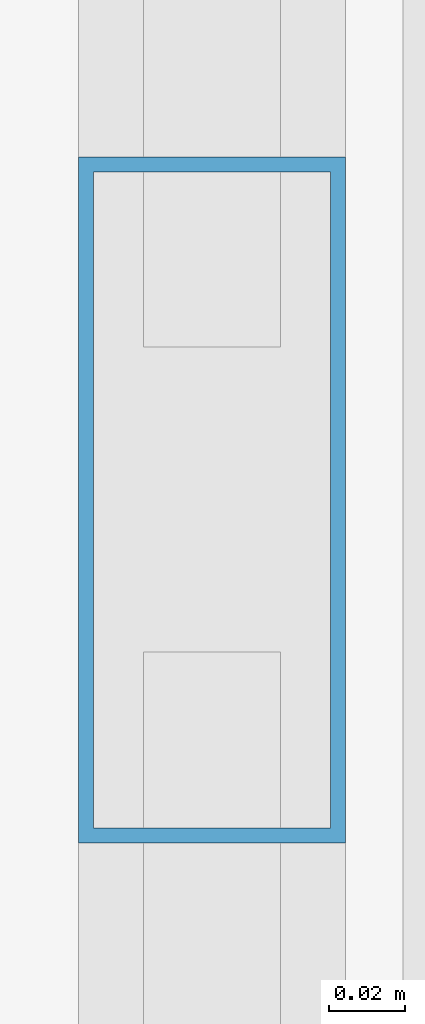
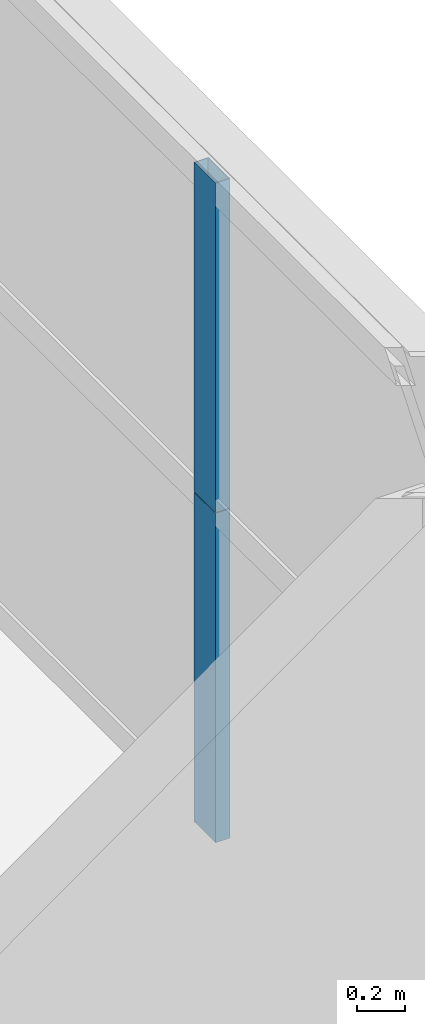
# One storey, part 29 of 39: 2 members, 1 element without a shape of its own.
"""IFC4 building model written with IfcOpenShell, lengths in metres."""

import ifcopenshell
import ifcopenshell.guid

model = None  # the IFC model being written
_history = None  # IfcOwnerHistory: only IFC2X3 demands one
_inside = {}  # id of a spatial element -> (the spatial element, [elements in it])
_under = {}  # id of a project, library or spatial element -> (it, [spatial elements below it])
_declared = {}  # id of a project -> (the project, [libraries it declares])
_typed = {}  # id of a type object -> (the type object, [elements of that type])
_made_of = {}  # id of a material, layer set ... -> (it, [elements and type objects made of it])


def new_model(schema):
    """Start an empty IFC model of exactly this schema.

    Asked for "IFC4X3", IfcOpenShell would pick the latest addendum, in which some entities
    have other attributes; the version numbers below select the first issue.
    IFC2X3 requires an IfcOwnerHistory on every rooted entity: one is made here for all.
    """
    global model, _history
    if schema == "IFC4X3":
        model = ifcopenshell.file(schema_version=(4, 3, 0, 0))
    else:
        model = ifcopenshell.file(schema=schema)
    _inside.clear()
    _under.clear()
    _declared.clear()
    _typed.clear()
    _made_of.clear()
    _history = None
    if model.schema == "IFC2X3":
        org = make("IfcOrganization", Name="unknown")
        user = make(
            "IfcPersonAndOrganization",
            ThePerson=make("IfcPerson", FamilyName="unknown"),
            TheOrganization=org,
        )
        app = make(
            "IfcApplication",
            ApplicationDeveloper=org,
            Version="unknown",
            ApplicationFullName="unknown",
            ApplicationIdentifier="unknown",
        )
        _history = make(
            "IfcOwnerHistory",
            OwningUser=user,
            OwningApplication=app,
            ChangeAction="ADDED",
            CreationDate=0,
        )
    return model


def make(cls, **values):
    """One entity of the class cls with the attributes given. An attribute that is None is left unset."""
    return model.create_entity(
        cls, **{name: value for name, value in values.items() if value is not None}
    )


def rooted(cls, **values):
    """An entity with a GlobalId (a new one), such as an element, a storey or a relation."""
    return make(cls, GlobalId=ifcopenshell.guid.new(), OwnerHistory=_history, **values)


def si_unit(unit_type, name, prefix=None):
    """IfcSIUnit, for example si_unit("LENGTHUNIT", "METRE", prefix="MILLI")."""
    return make("IfcSIUnit", UnitType=unit_type, Prefix=prefix, Name=name)


def assignment(units):
    """IfcUnitAssignment: the units of a project."""
    return None if units is None else make("IfcUnitAssignment", Units=units)


def point(xyz):
    """IfcCartesianPoint."""
    return None if xyz is None else make("IfcCartesianPoint", Coordinates=xyz)


def direction(xyz):
    """IfcDirection."""
    return None if xyz is None else make("IfcDirection", DirectionRatios=xyz)


def frame(location, z_axis=None, x_axis=None):
    """IfcAxis2Placement3D, a coordinate frame: its origin and axes. An axis left out is left unset."""
    return make(
        "IfcAxis2Placement3D",
        Location=point(location),
        Axis=direction(z_axis),
        RefDirection=direction(x_axis),
    )


def frame_2d(location, x_axis=None):
    """IfcAxis2Placement2D, a coordinate frame in the plane: its origin and x axis."""
    return make(
        "IfcAxis2Placement2D", Location=point(location), RefDirection=direction(x_axis)
    )


def origin():
    """The frame at (0, 0, 0) with its axes left unset."""
    return frame((0.0, 0.0, 0.0))


def origin_2d():
    """The frame at (0, 0) in the plane with its x axis left unset."""
    return frame_2d((0.0, 0.0))


def place(relative_to, where):
    """IfcLocalPlacement: puts the frame where relative to a parent placement (None: the world)."""
    return make(
        "IfcLocalPlacement", PlacementRelTo=relative_to, RelativePlacement=where
    )


def context(
    kind, dimensions, precision=None, world=None, true_north=None, identifier=None
):
    """IfcGeometricRepresentationContext, for example the 3D "Model" context."""
    return make(
        "IfcGeometricRepresentationContext",
        ContextIdentifier=identifier,
        ContextType=kind,
        CoordinateSpaceDimension=dimensions,
        Precision=precision,
        WorldCoordinateSystem=world,
        TrueNorth=true_north,
    )


def subcontext(parent, identifier, kind, view, scale=None):
    """IfcGeometricRepresentationSubContext, for example "Body" below "Model"."""
    return make(
        "IfcGeometricRepresentationSubContext",
        ContextIdentifier=identifier,
        ContextType=kind,
        ParentContext=parent,
        TargetScale=scale,
        TargetView=view,
    )


def project(units=None, contexts=None):
    """IfcProject with its units and contexts."""
    return rooted(
        "IfcProject",
        Name="project",
        RepresentationContexts=contexts,
        UnitsInContext=assignment(units),
    )


def spatial(cls, under=None, at=None, **own):
    """A site, building, storey or space (cls), placed at a placement, below another one or the project."""
    s = rooted(cls, ObjectPlacement=at, **own)
    if under is not None:
        _under.setdefault(under.id(), (under, []))[1].append(s)
    return s


def profile(cls, at=None, kind="AREA", **sizes):
    """A parametric profile (cls). Its sizes go by their IFC names, for example OverallWidth=200.0."""
    return make(cls, ProfileType=kind, Position=at, **sizes)


def hollow_rectangle(**sizes):
    """IfcRectangleHollowProfileDef."""
    return profile("IfcRectangleHollowProfileDef", **sizes)


def extrude(swept, where, along, depth):
    """IfcExtrudedAreaSolid: the profile swept, set in the frame where, extruded along a direction by depth."""
    return make(
        "IfcExtrudedAreaSolid",
        SweptArea=swept,
        Position=where,
        ExtrudedDirection=direction(along),
        Depth=depth,
    )


def shape(context_of_items, identifier, shape_type, items):
    """IfcShapeRepresentation: the items that make up one representation, for example the "Body"."""
    return make(
        "IfcShapeRepresentation",
        ContextOfItems=context_of_items,
        RepresentationIdentifier=identifier,
        RepresentationType=shape_type,
        Items=items,
    )


def source(mapping_origin, context_of_items, identifier, shape_type, items):
    """IfcRepresentationMap: a shape defined once, which mapped items show again and again."""
    return make(
        "IfcRepresentationMap",
        MappingOrigin=mapping_origin,
        MappedRepresentation=shape(context_of_items, identifier, shape_type, items),
    )


def transform(
    local_origin,
    x_axis=None,
    y_axis=None,
    z_axis=None,
    scale=None,
    scale2=None,
    scale3=None,
    uniform=True,
):
    """IfcCartesianTransformationOperator3D, or its non-uniform kind. x_axis, y_axis, z_axis: its Axis1, 2, 3."""
    if uniform:
        return make(
            "IfcCartesianTransformationOperator3D",
            Axis1=direction(x_axis),
            Axis2=direction(y_axis),
            LocalOrigin=point(local_origin),
            Scale=scale,
            Axis3=direction(z_axis),
        )
    return make(
        "IfcCartesianTransformationOperator3DnonUniform",
        Axis1=direction(x_axis),
        Axis2=direction(y_axis),
        LocalOrigin=point(local_origin),
        Scale=scale,
        Axis3=direction(z_axis),
        Scale2=scale2,
        Scale3=scale3,
    )


def mapped(mapping_source, mapping_target):
    """IfcMappedItem: shows the shape of a source again, moved by a transform."""
    return make(
        "IfcMappedItem", MappingSource=mapping_source, MappingTarget=mapping_target
    )


def material(Name=None, Category=None):
    """IfcMaterial."""
    return make("IfcMaterial", Name=Name, Category=Category)


def layer(
    of_material, thickness, ventilated=None, Name=None, Category=None, Priority=None
):
    """IfcMaterialLayer: one layer of a wall or slab, of a material (None: an air gap)."""
    return make(
        "IfcMaterialLayer",
        Material=of_material,
        LayerThickness=thickness,
        IsVentilated=ventilated,
        Name=Name,
        Category=Category,
        Priority=Priority,
    )


def layer_set(layers, Name=None):
    """IfcMaterialLayerSet."""
    return make("IfcMaterialLayerSet", MaterialLayers=layers, LayerSetName=Name)


def material_profile(
    of_material, cross_section, Name=None, Category=None, Priority=None
):
    """IfcMaterialProfile: a cross section and its material."""
    return make(
        "IfcMaterialProfile",
        Name=Name,
        Material=of_material,
        Profile=cross_section,
        Priority=Priority,
        Category=Category,
    )


def profile_set(profiles, Name=None, composite=None):
    """IfcMaterialProfileSet."""
    return make(
        "IfcMaterialProfileSet",
        Name=Name,
        MaterialProfiles=profiles,
        CompositeProfile=composite,
    )


def made_of(thing, what):
    """Note that an element or type object is made of a material, layer set ...; save() writes the relation."""
    if what is not None:
        _made_of.setdefault(what.id(), (what, []))[1].append(thing)
    return thing


def type_object(cls, material=None, **own):
    """A type object (cls), such as IfcWallType, which elements share."""
    return made_of(rooted(cls, **own), material)


def element(
    cls,
    number,
    at=None,
    inside=None,
    cuts=None,
    type_object=None,
    material=None,
    context=None,
    identifier="Body",
    shape_type=None,
    held_by="IfcProductDefinitionShape",
    body=None,
    shapes=None,
    **own,
):
    """One element of the class cls, such as IfcWall. Its Tag is "e" and its number.

    at: its placement. inside: the storey or other place that contains it. cuts: it is an
    opening in that element (IfcRelVoidsElement). A single representation is given by context,
    identifier, shape_type and body (its items); several are given by shapes. held_by: the class
    of the entity that holds the representations. save() writes the other relations.
    """
    e = rooted(cls, Tag="e%d" % number, ObjectPlacement=at, **own)
    if body is not None:
        shapes = [shape(context, identifier, shape_type, body)]
    if shapes is not None:
        e.Representation = make(held_by, Representations=shapes)
    if inside is not None:
        _inside.setdefault(inside.id(), (inside, []))[1].append(e)
    if cuts is not None:
        rooted(
            "IfcRelVoidsElement", RelatingBuildingElement=cuts, RelatedOpeningElement=e
        )
    if type_object is not None:
        _typed.setdefault(type_object.id(), (type_object, []))[1].append(e)
    return made_of(e, material)


def aggregate(whole, parts):
    """IfcRelAggregates: a whole, such as a stair, and the parts it consists of."""
    return rooted("IfcRelAggregates", RelatingObject=whole, RelatedObjects=parts)


def save(model, path):
    """Write the relations noted so far, then the file.

    IfcRelAggregates (storeys below a building ...), IfcRelContainedInSpatialStructure (elements
    in a storey), IfcRelDefinesByType, IfcRelAssociatesMaterial and IfcRelDeclares: one each for
    every whole, place, type object, material and project.
    """
    for whole, parts in _under.values():
        aggregate(whole, parts)
    for where, things in _inside.values():
        rooted(
            "IfcRelContainedInSpatialStructure",
            RelatedElements=things,
            RelatingStructure=where,
        )
    for kind, things in _typed.values():
        rooted("IfcRelDefinesByType", RelatedObjects=things, RelatingType=kind)
    for what, things in _made_of.values():
        rooted("IfcRelAssociatesMaterial", RelatedObjects=things, RelatingMaterial=what)
    for by, libraries in _declared.values():
        rooted("IfcRelDeclares", RelatingContext=by, RelatedDefinitions=libraries)
    model.write(path)


model = new_model("IFC4")

# Units and contexts
model_context = context("Model", 3, precision=1e-05, world=origin(), true_north=direction((0.0, 1.0)))
body_context = subcontext(model_context, "Body", "Model", "MODEL_VIEW")
ifc_project = project(units=[si_unit("LENGTHUNIT", "METRE"), si_unit("AREAUNIT", "SQUARE_METRE"), si_unit("VOLUMEUNIT", "CUBIC_METRE"), si_unit("PLANEANGLEUNIT", "RADIAN"), si_unit("MASSUNIT", "GRAM", prefix="KILO"), si_unit("THERMODYNAMICTEMPERATUREUNIT", "KELVIN"), si_unit("POWERUNIT", "WATT")], contexts=[model_context])

# Site, building, storey
site_placement = place(None, origin())
site = spatial("IfcSite", under=ifc_project, at=site_placement, CompositionType="ELEMENT")
building_placement = place(site_placement, origin())
building = spatial("IfcBuilding", under=site, at=building_placement, Name="Yuzanri Waterfront Tower", CompositionType="ELEMENT")
storey_placement = place(building_placement, frame((0.0, 0.0, 156.0)))
storey = spatial("IfcBuildingStorey", under=building, at=storey_placement, Name="L41", CompositionType="ELEMENT", Elevation=156.0)

# Curtain wall, members
ifc_material_1 = material(Name="Anodized Architectural Bronze", Category="metal")
ifc_layer = layer(ifc_material_1, 0.159912109375)
ifc_layer_set = layer_set([ifc_layer], Name="Anodized Architectural Bronze")
curtain_wall_type = type_object("IfcCurtainWallType", Name="Anodized Bronze Hotel Upper-Tier Solar-Control Unitized Curtain Wall 7800", PredefinedType="NOTDEFINED", material=ifc_layer_set)
curtain_wall_placement = place(storey_placement, origin())
curtain_wall = element("IfcCurtainWall", 1, at=curtain_wall_placement, inside=storey, type_object=curtain_wall_type, Name="L41 Curtain Wall CW-L41-ER", PredefinedType="NOTDEFINED")
ifc_material_2 = material(Name="Anodized Architectural Bronze", Category="metal")
ifc_material_profile = material_profile(ifc_material_2, hollow_rectangle(XDim=0.070068359375, YDim=0.179931640625, WallThickness=0.00390625, at=origin_2d()), Name="CWM 70x180")
ifc_profile_set = profile_set([ifc_material_profile], Name="Anodized Architectural Bronze")
member_type = type_object("IfcMemberType", Name="Anodized Bronze Standard Curtain-Wall Mullion 70x180", PredefinedType="MULLION", material=ifc_profile_set)
shared_shape = source(origin(), body_context, "Body", "SweptSolid", [
    extrude(hollow_rectangle(XDim=0.070068359375, YDim=0.179931640625, WallThickness=0.00390625, at=origin_2d()), origin(), (0.0, 0.0, 1.0), 1.68798828125),
])
member_1_placement = place(storey_placement, frame((60.449951171875, 34.14990234375, 0.0), z_axis=(0.0, 0.0, 1.0), x_axis=(1.0, 0.0, 0.0)))
member_1 = element("IfcMember", 2, at=member_1_placement, type_object=member_type, Name="CW-L41-ER Lower Mullion 01", PredefinedType="MULLION", context=body_context, shape_type="MappedRepresentation", body=[
    mapped(shared_shape, transform((0.0, 0.0, 0.0), scale=1.0)),
])
member_2_placement = place(storey_placement, frame((60.449951171875, 34.14990234375, 1.69189453125), z_axis=(0.0, 0.0, 1.0), x_axis=(1.0, 0.0, 0.0)))
member_2 = element("IfcMember", 3, at=member_2_placement, type_object=member_type, Name="CW-L41-ER Upper Mullion 01", PredefinedType="MULLION", context=body_context, shape_type="MappedRepresentation", body=[
    mapped(shared_shape, transform((0.0, 0.0, 0.0), scale=1.0)),
])
aggregate(curtain_wall, [member_1, member_2])

save(model, "model.ifc")
